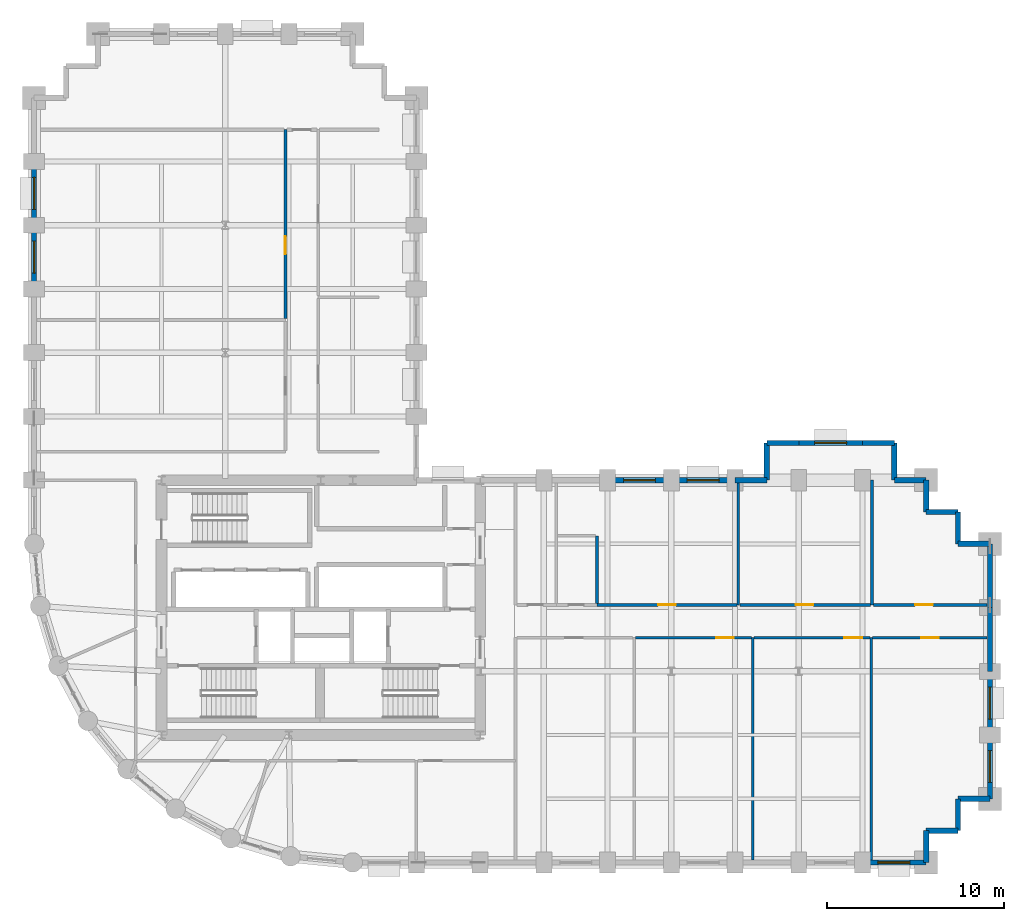
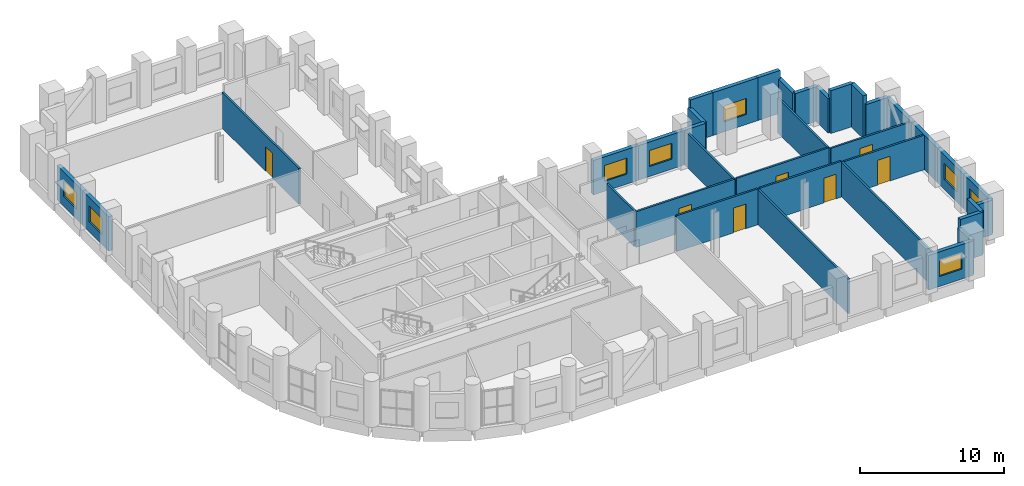
# One storey, part 10 of 13: 36 walls, 8 windows, 7 doors, 15 openings.
"""IFC4 building model written with IfcOpenShell, lengths in metres."""

from ifc_helpers import new_model, si_unit, direction, frame, frame_2d, origin, place, context, subcontext, project, spatial, rectangle, extrude, material, layer, layer_set, type_object, element, fill, save


model = new_model("IFC4")

# Units and contexts
model_context = context("Model", 3, precision=1e-05, world=origin(), true_north=direction((0.0, 1.0)))
body_context = subcontext(model_context, "Body", "Model", "MODEL_VIEW")
ifc_project = project(units=[si_unit("LENGTHUNIT", "METRE"), si_unit("AREAUNIT", "SQUARE_METRE"), si_unit("VOLUMEUNIT", "CUBIC_METRE"), si_unit("PLANEANGLEUNIT", "RADIAN"), si_unit("MASSUNIT", "GRAM", prefix="KILO")], contexts=[model_context])

# Site, building, storey
site_placement = place(None, origin())
site = spatial("IfcSite", under=ifc_project, at=site_placement, CompositionType="ELEMENT")
building_placement = place(site_placement, origin())
building = spatial("IfcBuilding", under=site, at=building_placement, Name="Solnavia Interchange Tower", CompositionType="ELEMENT")
storey_placement = place(building_placement, frame((0.0, 0.0, 39.60009765625)))
storey = spatial("IfcBuildingStorey", under=building, at=storey_placement, Name="L09", CompositionType="ELEMENT", Elevation=39.60009765625)

# Wall, opening, window
ifc_material_1 = material(Name="Concrete C40/50", Category="concrete")
ifc_layer_1 = layer(ifc_material_1, 0.300048828125)
ifc_layer_set_1 = layer_set([ifc_layer_1], Name="Concrete C40/50")
wall_type_1 = type_object("IfcWallType", Name="Wall-ExtSpandrel-300", PredefinedType="STANDARD", material=ifc_layer_set_1)
wall_1_placement = place(storey_placement, frame((57.60009765625, 3.60009765625, 0.0), z_axis=(0.0, 0.0, 1.0), x_axis=(-1.0, 0.0, 0.0)))
wall_1 = element("IfcWall", 1, at=wall_1_placement, inside=storey, type_object=wall_type_1, Name="EXW-L09-09 Exterior precast spandrel wall", PredefinedType="STANDARD", context=body_context, shape_type="SweptSolid", body=[
    extrude(rectangle(XDim=3.60009765625, YDim=0.300048828125, at=frame_2d((1.800048828125, 0.0))), origin(), (0.0, 0.0, 1.0), 2.929931640625),
])
opening_1_placement = place(wall_1_placement, frame((0.925048828125, 0.0, 0.85009765625)))
opening_1 = element("IfcOpeningElement", 2, at=opening_1_placement, cuts=wall_1, Name="Opening WIN-02", PredefinedType="OPENING", context=body_context, shape_type="SweptSolid", body=[
    extrude(rectangle(XDim=1.800048828125, YDim=1.35009765625, at=frame_2d((0.89990234375, 0.675048828125))), frame((0.0, 0.16015625, 0.0), z_axis=(0.0, -1.0, 0.0), x_axis=(1.0, 0.0, 0.0)), (0.0, 0.0, 1.0), 0.320068359375),
])
ifc_material_2 = material(Name="Thermal-Break Aluminium & Low-E Glass", Category="aluminium")
window_type = type_object("IfcWindowType", Name="Window-Ribbon-1800x1350", PartitioningType="SINGLE_PANEL", PredefinedType="WINDOW", material=ifc_material_2)
window_1_placement = place(opening_1_placement, origin())
window_1 = element("IfcWindow", 3, at=window_1_placement, inside=storey, type_object=window_type, Name="WIN-L09-09 Facade ribbon window", OverallHeight=1.35009765625, OverallWidth=1.800048828125, PartitioningType="SINGLE_PANEL", PredefinedType="WINDOW", context=body_context, shape_type="SweptSolid", body=[
    extrude(rectangle(XDim=1.800048828125, YDim=1.35009765625, at=frame_2d((0.89990234375, 0.675048828125))), frame((0.0, 0.030029296875, 0.0), z_axis=(0.0, -1.0, 0.0), x_axis=(1.0, 0.0, 0.0)), (0.0, 0.0, 1.0), 0.06005859375),
])
fill(opening_1, window_1)

# Walls
wall_2_placement = place(storey_placement, frame((57.60009765625, 5.39990234375, 0.0), z_axis=(0.0, 0.0, 1.0), x_axis=(0.0, -1.0, 0.0)))
element("IfcWall", 4, at=wall_2_placement, inside=storey, type_object=wall_type_1, Name="EXW-L09-10 Exterior precast spandrel wall", PredefinedType="STANDARD", context=body_context, shape_type="SweptSolid", body=[
    extrude(rectangle(XDim=1.7998046875, YDim=0.300048828125, at=frame_2d((0.89990234375, 0.0))), origin(), (0.0, 0.0, 1.0), 2.929931640625),
])
wall_3_placement = place(storey_placement, frame((59.39990234375, 5.39990234375, 0.0), z_axis=(0.0, 0.0, 1.0), x_axis=(-1.0, 0.0, 0.0)))
element("IfcWall", 5, at=wall_3_placement, inside=storey, type_object=wall_type_1, Name="EXW-L09-11 Exterior precast spandrel wall", PredefinedType="STANDARD", context=body_context, shape_type="SweptSolid", body=[
    extrude(rectangle(XDim=1.7998046875, YDim=0.300048828125, at=frame_2d((0.89990234375, 0.0))), origin(), (0.0, 0.0, 1.0), 3.635009765625),
])
wall_4_placement = place(storey_placement, frame((59.39990234375, 7.199951171875, 0.0), z_axis=(0.0, 0.0, 1.0), x_axis=(0.0, -1.0, 0.0)))
element("IfcWall", 6, at=wall_4_placement, inside=storey, type_object=wall_type_1, Name="EXW-L09-12 Exterior precast spandrel wall", PredefinedType="STANDARD", context=body_context, shape_type="SweptSolid", body=[
    extrude(rectangle(XDim=1.800048828125, YDim=0.300048828125, at=frame_2d((0.89990234375, 0.0))), origin(), (0.0, 0.0, 1.0), 3.635009765625),
])
wall_5_placement = place(storey_placement, frame((61.199951171875, 7.199951171875, 0.0), z_axis=(0.0, 0.0, 1.0), x_axis=(-1.0, 0.0, 0.0)))
element("IfcWall", 7, at=wall_5_placement, inside=storey, type_object=wall_type_1, Name="EXW-L09-13 Exterior precast spandrel wall", PredefinedType="STANDARD", context=body_context, shape_type="SweptSolid", body=[
    extrude(rectangle(XDim=1.800048828125, YDim=0.300048828125, at=frame_2d((0.89990234375, 0.0))), origin(), (0.0, 0.0, 1.0), 2.929931640625),
])

# Wall, opening, window
wall_6_placement = place(storey_placement, frame((61.199951171875, 10.800048828125, 0.0), z_axis=(0.0, 0.0, 1.0), x_axis=(0.0, -1.0, 0.0)))
wall_6 = element("IfcWall", 8, at=wall_6_placement, inside=storey, type_object=wall_type_1, Name="EXW-L09-14 Exterior precast spandrel wall", PredefinedType="STANDARD", context=body_context, shape_type="SweptSolid", body=[
    extrude(rectangle(XDim=3.60009765625, YDim=0.300048828125, at=frame_2d((1.800048828125, 0.0))), origin(), (0.0, 0.0, 1.0), 2.929931640625),
])
opening_2_placement = place(wall_6_placement, frame((0.875, 0.0, 0.85009765625)))
opening_2 = element("IfcOpeningElement", 9, at=opening_2_placement, cuts=wall_6, Name="Opening WIN-02", PredefinedType="OPENING", context=body_context, shape_type="SweptSolid", body=[
    extrude(rectangle(XDim=1.800048828125, YDim=1.35009765625, at=frame_2d((0.89990234375, 0.675048828125))), frame((0.0, 0.16015625, 0.0), z_axis=(0.0, -1.0, 0.0), x_axis=(1.0, 0.0, 0.0)), (0.0, 0.0, 1.0), 0.320068359375),
])
window_2_placement = place(opening_2_placement, origin())
window_2 = element("IfcWindow", 10, at=window_2_placement, inside=storey, type_object=window_type, Name="WIN-L09-14 Facade ribbon window", OverallHeight=1.35009765625, OverallWidth=1.800048828125, PartitioningType="SINGLE_PANEL", PredefinedType="WINDOW", context=body_context, shape_type="SweptSolid", body=[
    extrude(rectangle(XDim=1.800048828125, YDim=1.35009765625, at=frame_2d((0.89990234375, 0.675048828125))), frame((0.0, 0.030029296875, 0.0), z_axis=(0.0, -1.0, 0.0), x_axis=(1.0, 0.0, 0.0)), (0.0, 0.0, 1.0), 0.06005859375),
])
fill(opening_2, window_2)

wall_7_placement = place(storey_placement, frame((61.199951171875, 14.39990234375, 0.0), z_axis=(0.0, 0.0, 1.0), x_axis=(0.0, -1.0, 0.0)))
wall_7 = element("IfcWall", 11, at=wall_7_placement, inside=storey, type_object=wall_type_1, Name="EXW-L09-15 Exterior precast spandrel wall", PredefinedType="STANDARD", context=body_context, shape_type="SweptSolid", body=[
    extrude(rectangle(XDim=3.599853515625, YDim=0.300048828125, at=frame_2d((1.7998046875, 0.0))), origin(), (0.0, 0.0, 1.0), 2.929931640625),
])
opening_3_placement = place(wall_7_placement, frame((0.89990234375, 0.0, 0.85009765625)))
opening_3 = element("IfcOpeningElement", 12, at=opening_3_placement, cuts=wall_7, Name="Opening WIN-02", PredefinedType="OPENING", context=body_context, shape_type="SweptSolid", body=[
    extrude(rectangle(XDim=1.800048828125, YDim=1.35009765625, at=frame_2d((0.89990234375, 0.675048828125))), frame((0.0, 0.16015625, 0.0), z_axis=(0.0, -1.0, 0.0), x_axis=(1.0, 0.0, 0.0)), (0.0, 0.0, 1.0), 0.320068359375),
])
window_3_placement = place(opening_3_placement, origin())
window_3 = element("IfcWindow", 13, at=window_3_placement, inside=storey, type_object=window_type, Name="WIN-L09-15 Facade ribbon window", OverallHeight=1.35009765625, OverallWidth=1.800048828125, PartitioningType="SINGLE_PANEL", PredefinedType="WINDOW", context=body_context, shape_type="SweptSolid", body=[
    extrude(rectangle(XDim=1.800048828125, YDim=1.35009765625, at=frame_2d((0.89990234375, 0.675048828125))), frame((0.0, 0.030029296875, 0.0), z_axis=(0.0, -1.0, 0.0), x_axis=(1.0, 0.0, 0.0)), (0.0, 0.0, 1.0), 0.06005859375),
])
fill(opening_3, window_3)

# Walls
for number, where, z_axis, x_axis, name in (
    (14, (61.199951171875, 18.0, 0.0), (0.0, 0.0, 1.0), (0.0, -1.0, 0.0), "EXW-L09-16 Exterior precast spandrel wall"),
    (15, (61.199951171875, 21.60009765625, 0.0), (0.0, 0.0, 1.0), (0.0, -1.0, 0.0), "EXW-L09-17 Exterior precast spandrel wall"),
):
    element("IfcWall", number, at=place(storey_placement, frame(where, z_axis=z_axis, x_axis=x_axis)), inside=storey, type_object=wall_type_1, Name=name, PredefinedType="STANDARD", context=body_context, shape_type="SweptSolid", body=[
        extrude(rectangle(XDim=3.60009765625, YDim=0.300048828125, at=frame_2d((1.800048828125, 0.0))), origin(), (0.0, 0.0, 1.0), 2.929931640625),
    ])
wall_8_placement = place(storey_placement, frame((61.199951171875, 21.60009765625, 0.0), z_axis=(0.0, 0.0, 1.0), x_axis=(-1.0, 0.0, 0.0)))
element("IfcWall", 16, at=wall_8_placement, inside=storey, type_object=wall_type_1, Name="EXW-L09-18 Exterior precast spandrel wall", PredefinedType="STANDARD", context=body_context, shape_type="SweptSolid", body=[
    extrude(rectangle(XDim=1.800048828125, YDim=0.300048828125, at=frame_2d((0.89990234375, 0.0))), origin(), (0.0, 0.0, 1.0), 2.929931640625),
])
for number, where, z_axis, x_axis, name in (
    (17, (59.39990234375, 23.39990234375, 0.0), (0.0, 0.0, 1.0), (0.0, -1.0, 0.0), "EXW-L09-19 Exterior precast spandrel wall"),
    (18, (57.60009765625, 23.39990234375, 0.0), (0.0, 0.0, 1.0), (1.0, 0.0, 0.0), "EXW-L09-20 Exterior precast spandrel wall"),
):
    element("IfcWall", number, at=place(storey_placement, frame(where, z_axis=z_axis, x_axis=x_axis)), inside=storey, type_object=wall_type_1, Name=name, PredefinedType="STANDARD", context=body_context, shape_type="SweptSolid", body=[
        extrude(rectangle(XDim=1.7998046875, YDim=0.300048828125, at=frame_2d((0.89990234375, 0.0))), origin(), (0.0, 0.0, 1.0), 3.635009765625),
    ])
for number, where, z_axis, x_axis, name in (
    (19, (57.60009765625, 25.199951171875, 0.0), (0.0, 0.0, 1.0), (0.0, -1.0, 0.0), "EXW-L09-21 Exterior precast spandrel wall"),
    (20, (55.800048828125, 25.199951171875, 0.0), (0.0, 0.0, 1.0), (1.0, 0.0, 0.0), "EXW-L09-22 Exterior precast spandrel wall"),
):
    element("IfcWall", number, at=place(storey_placement, frame(where, z_axis=z_axis, x_axis=x_axis)), inside=storey, type_object=wall_type_1, Name=name, PredefinedType="STANDARD", context=body_context, shape_type="SweptSolid", body=[
        extrude(rectangle(XDim=1.800048828125, YDim=0.300048828125, at=frame_2d((0.89990234375, 0.0))), origin(), (0.0, 0.0, 1.0), 2.929931640625),
    ])
wall_9_placement = place(storey_placement, frame((55.800048828125, 27.300048828125, 0.0), z_axis=(0.0, 0.0, 1.0), x_axis=(0.0, -1.0, 0.0)))
element("IfcWall", 21, at=wall_9_placement, inside=storey, type_object=wall_type_1, Name="EXW-L09-23 Exterior precast spandrel wall", PredefinedType="STANDARD", context=body_context, shape_type="SweptSolid", body=[
    extrude(rectangle(XDim=2.10009765625, YDim=0.300048828125, at=frame_2d((1.050048828125, 0.0))), origin(), (0.0, 0.0, 1.0), 2.929931640625),
])
wall_10_placement = place(storey_placement, frame((54.0, 27.300048828125, 0.0), z_axis=(0.0, 0.0, 1.0), x_axis=(1.0, 0.0, 0.0)))
element("IfcWall", 22, at=wall_10_placement, inside=storey, type_object=wall_type_1, Name="EXW-L09-24 Exterior precast spandrel wall", PredefinedType="STANDARD", context=body_context, shape_type="SweptSolid", body=[
    extrude(rectangle(XDim=1.800048828125, YDim=0.300048828125, at=frame_2d((0.89990234375, 0.0))), origin(), (0.0, 0.0, 1.0), 3.635009765625),
])

# Wall, opening, window
wall_11_placement = place(storey_placement, frame((50.39990234375, 27.300048828125, 0.0), z_axis=(0.0, 0.0, 1.0), x_axis=(1.0, 0.0, 0.0)))
wall_11 = element("IfcWall", 23, at=wall_11_placement, inside=storey, type_object=wall_type_1, Name="EXW-L09-25 Exterior precast spandrel wall", PredefinedType="STANDARD", context=body_context, shape_type="SweptSolid", body=[
    extrude(rectangle(XDim=3.60009765625, YDim=0.300048828125, at=frame_2d((1.800048828125, 0.0))), origin(), (0.0, 0.0, 1.0), 3.635009765625),
])
opening_4_placement = place(wall_11_placement, frame((0.89990234375, 0.0, 0.85009765625)))
opening_4 = element("IfcOpeningElement", 24, at=opening_4_placement, cuts=wall_11, Name="Opening WIN-02", PredefinedType="OPENING", context=body_context, shape_type="SweptSolid", body=[
    extrude(rectangle(XDim=1.800048828125, YDim=1.35009765625, at=frame_2d((0.89990234375, 0.675048828125))), frame((0.0, 0.16015625, 0.0), z_axis=(0.0, -1.0, 0.0), x_axis=(1.0, 0.0, 0.0)), (0.0, 0.0, 1.0), 0.320068359375),
])
window_4_placement = place(opening_4_placement, origin())
window_4 = element("IfcWindow", 25, at=window_4_placement, inside=storey, type_object=window_type, Name="WIN-L09-25 Facade ribbon window", OverallHeight=1.35009765625, OverallWidth=1.800048828125, PartitioningType="SINGLE_PANEL", PredefinedType="WINDOW", context=body_context, shape_type="SweptSolid", body=[
    extrude(rectangle(XDim=1.800048828125, YDim=1.35009765625, at=frame_2d((0.89990234375, 0.675048828125))), frame((0.0, 0.030029296875, 0.0), z_axis=(0.0, -1.0, 0.0), x_axis=(1.0, 0.0, 0.0)), (0.0, 0.0, 1.0), 0.06005859375),
])
fill(opening_4, window_4)

# Walls
wall_12_placement = place(storey_placement, frame((48.60009765625, 27.300048828125, 0.0), z_axis=(0.0, 0.0, 1.0), x_axis=(1.0, 0.0, 0.0)))
element("IfcWall", 26, at=wall_12_placement, inside=storey, type_object=wall_type_1, Name="EXW-L09-26 Exterior precast spandrel wall", PredefinedType="STANDARD", context=body_context, shape_type="SweptSolid", body=[
    extrude(rectangle(XDim=1.7998046875, YDim=0.300048828125, at=frame_2d((0.89990234375, 0.0))), origin(), (0.0, 0.0, 1.0), 3.635009765625),
])
wall_13_placement = place(storey_placement, frame((48.60009765625, 27.300048828125, 0.0), z_axis=(0.0, 0.0, 1.0), x_axis=(0.0, -1.0, 0.0)))
element("IfcWall", 27, at=wall_13_placement, inside=storey, type_object=wall_type_1, Name="EXW-L09-27 Exterior precast spandrel wall", PredefinedType="STANDARD", context=body_context, shape_type="SweptSolid", body=[
    extrude(rectangle(XDim=2.10009765625, YDim=0.300048828125, at=frame_2d((1.050048828125, 0.0))), origin(), (0.0, 0.0, 1.0), 2.929931640625),
])
wall_14_placement = place(storey_placement, frame((46.800048828125, 25.199951171875, 0.0), z_axis=(0.0, 0.0, 1.0), x_axis=(1.0, 0.0, 0.0)))
element("IfcWall", 28, at=wall_14_placement, inside=storey, type_object=wall_type_1, Name="EXW-L09-28 Exterior precast spandrel wall", PredefinedType="STANDARD", context=body_context, shape_type="SweptSolid", body=[
    extrude(rectangle(XDim=1.800048828125, YDim=0.300048828125, at=frame_2d((0.89990234375, 0.0))), origin(), (0.0, 0.0, 1.0), 2.929931640625),
])

# Wall, opening, window
wall_15_placement = place(storey_placement, frame((43.199951171875, 25.199951171875, 0.0), z_axis=(0.0, 0.0, 1.0), x_axis=(1.0, 0.0, 0.0)))
wall_15 = element("IfcWall", 29, at=wall_15_placement, inside=storey, type_object=wall_type_1, Name="EXW-L09-29 Exterior precast spandrel wall", PredefinedType="STANDARD", context=body_context, shape_type="SweptSolid", body=[
    extrude(rectangle(XDim=3.60009765625, YDim=0.300048828125, at=frame_2d((1.800048828125, 0.0))), origin(), (0.0, 0.0, 1.0), 2.929931640625),
])
opening_5_placement = place(wall_15_placement, frame((0.89990234375, 0.0, 0.85009765625)))
opening_5 = element("IfcOpeningElement", 30, at=opening_5_placement, cuts=wall_15, Name="Opening WIN-02", PredefinedType="OPENING", context=body_context, shape_type="SweptSolid", body=[
    extrude(rectangle(XDim=1.800048828125, YDim=1.35009765625, at=frame_2d((0.89990234375, 0.675048828125))), frame((0.0, 0.16015625, 0.0), z_axis=(0.0, -1.0, 0.0), x_axis=(1.0, 0.0, 0.0)), (0.0, 0.0, 1.0), 0.320068359375),
])
window_5_placement = place(opening_5_placement, origin())
window_5 = element("IfcWindow", 31, at=window_5_placement, inside=storey, type_object=window_type, Name="WIN-L09-29 Facade ribbon window", OverallHeight=1.35009765625, OverallWidth=1.800048828125, PartitioningType="SINGLE_PANEL", PredefinedType="WINDOW", context=body_context, shape_type="SweptSolid", body=[
    extrude(rectangle(XDim=1.800048828125, YDim=1.35009765625, at=frame_2d((0.89990234375, 0.675048828125))), frame((0.0, 0.030029296875, 0.0), z_axis=(0.0, -1.0, 0.0), x_axis=(1.0, 0.0, 0.0)), (0.0, 0.0, 1.0), 0.06005859375),
])
fill(opening_5, window_5)

wall_16_placement = place(storey_placement, frame((39.60009765625, 25.199951171875, 0.0), z_axis=(0.0, 0.0, 1.0), x_axis=(1.0, 0.0, 0.0)))
wall_16 = element("IfcWall", 32, at=wall_16_placement, inside=storey, type_object=wall_type_1, Name="EXW-L09-30 Exterior precast spandrel wall", PredefinedType="STANDARD", context=body_context, shape_type="SweptSolid", body=[
    extrude(rectangle(XDim=3.599853515625, YDim=0.300048828125, at=frame_2d((1.7998046875, 0.0))), origin(), (0.0, 0.0, 1.0), 2.929931640625),
])
opening_6_placement = place(wall_16_placement, frame((0.89990234375, 0.0, 0.85009765625)))
opening_6 = element("IfcOpeningElement", 33, at=opening_6_placement, cuts=wall_16, Name="Opening WIN-02", PredefinedType="OPENING", context=body_context, shape_type="SweptSolid", body=[
    extrude(rectangle(XDim=1.800048828125, YDim=1.35009765625, at=frame_2d((0.89990234375, 0.675048828125))), frame((0.0, 0.16015625, 0.0), z_axis=(0.0, -1.0, 0.0), x_axis=(1.0, 0.0, 0.0)), (0.0, 0.0, 1.0), 0.320068359375),
])
window_6_placement = place(opening_6_placement, origin())
window_6 = element("IfcWindow", 34, at=window_6_placement, inside=storey, type_object=window_type, Name="WIN-L09-30 Facade ribbon window", OverallHeight=1.35009765625, OverallWidth=1.800048828125, PartitioningType="SINGLE_PANEL", PredefinedType="WINDOW", context=body_context, shape_type="SweptSolid", body=[
    extrude(rectangle(XDim=1.800048828125, YDim=1.35009765625, at=frame_2d((0.89990234375, 0.675048828125))), frame((0.0, 0.030029296875, 0.0), z_axis=(0.0, -1.0, 0.0), x_axis=(1.0, 0.0, 0.0)), (0.0, 0.0, 1.0), 0.06005859375),
])
fill(opening_6, window_6)

wall_17_placement = place(storey_placement, frame((7.199951171875, 39.60009765625, 0.0), z_axis=(0.0, 0.0, 1.0), x_axis=(0.0, 1.0, 0.0)))
wall_17 = element("IfcWall", 35, at=wall_17_placement, inside=storey, type_object=wall_type_1, Name="EXW-L09-53 Exterior precast spandrel wall", PredefinedType="STANDARD", context=body_context, shape_type="SweptSolid", body=[
    extrude(rectangle(XDim=3.599853515625, YDim=0.300048828125, at=frame_2d((1.7998046875, 0.0))), origin(), (0.0, 0.0, 1.0), 2.929931640625),
])
opening_7_placement = place(wall_17_placement, frame((0.89990234375, 0.0, 0.85009765625)))
opening_7 = element("IfcOpeningElement", 36, at=opening_7_placement, cuts=wall_17, Name="Opening WIN-02", PredefinedType="OPENING", context=body_context, shape_type="SweptSolid", body=[
    extrude(rectangle(XDim=1.800048828125, YDim=1.35009765625, at=frame_2d((0.89990234375, 0.675048828125))), frame((0.0, 0.16015625, 0.0), z_axis=(0.0, -1.0, 0.0), x_axis=(1.0, 0.0, 0.0)), (0.0, 0.0, 1.0), 0.320068359375),
])
window_7_placement = place(opening_7_placement, origin())
window_7 = element("IfcWindow", 37, at=window_7_placement, inside=storey, type_object=window_type, Name="WIN-L09-53 Facade ribbon window", OverallHeight=1.35009765625, OverallWidth=1.800048828125, PartitioningType="SINGLE_PANEL", PredefinedType="WINDOW", context=body_context, shape_type="SweptSolid", body=[
    extrude(rectangle(XDim=1.800048828125, YDim=1.35009765625, at=frame_2d((0.89990234375, 0.675048828125))), frame((0.0, 0.030029296875, 0.0), z_axis=(0.0, -1.0, 0.0), x_axis=(1.0, 0.0, 0.0)), (0.0, 0.0, 1.0), 0.06005859375),
])
fill(opening_7, window_7)

wall_18_placement = place(storey_placement, frame((7.199951171875, 36.0, 0.0), z_axis=(0.0, 0.0, 1.0), x_axis=(0.0, 1.0, 0.0)))
wall_18 = element("IfcWall", 38, at=wall_18_placement, inside=storey, type_object=wall_type_1, Name="EXW-L09-54 Exterior precast spandrel wall", PredefinedType="STANDARD", context=body_context, shape_type="SweptSolid", body=[
    extrude(rectangle(XDim=3.60009765625, YDim=0.300048828125, at=frame_2d((1.800048828125, 0.0))), origin(), (0.0, 0.0, 1.0), 2.929931640625),
])
opening_8_placement = place(wall_18_placement, frame((0.89990234375, 0.0, 0.85009765625)))
opening_8 = element("IfcOpeningElement", 39, at=opening_8_placement, cuts=wall_18, Name="Opening WIN-02", PredefinedType="OPENING", context=body_context, shape_type="SweptSolid", body=[
    extrude(rectangle(XDim=1.800048828125, YDim=1.35009765625, at=frame_2d((0.89990234375, 0.675048828125))), frame((0.0, 0.16015625, 0.0), z_axis=(0.0, -1.0, 0.0), x_axis=(1.0, 0.0, 0.0)), (0.0, 0.0, 1.0), 0.320068359375),
])
window_8_placement = place(opening_8_placement, origin())
window_8 = element("IfcWindow", 40, at=window_8_placement, inside=storey, type_object=window_type, Name="WIN-L09-54 Facade ribbon window", OverallHeight=1.35009765625, OverallWidth=1.800048828125, PartitioningType="SINGLE_PANEL", PredefinedType="WINDOW", context=body_context, shape_type="SweptSolid", body=[
    extrude(rectangle(XDim=1.800048828125, YDim=1.35009765625, at=frame_2d((0.89990234375, 0.675048828125))), frame((0.0, 0.030029296875, 0.0), z_axis=(0.0, -1.0, 0.0), x_axis=(1.0, 0.0, 0.0)), (0.0, 0.0, 1.0), 0.06005859375),
])
fill(opening_8, window_8)

# Wall
ifc_material_3 = material(Name="Gypsum Plasterboard & Steel Stud", Category="steel")
ifc_layer_2 = layer(ifc_material_3, 0.14990234375)
ifc_layer_set_2 = layer_set([ifc_layer_2], Name="Gypsum Plasterboard & Steel Stud")
wall_type_2 = type_object("IfcWallType", Name="Wall-Partition-150", PredefinedType="PARTITIONING", material=ifc_layer_set_2)
wall_19_placement = place(storey_placement, frame((47.800048828125, 3.75390625, 0.0), z_axis=(0.0, 0.0, 1.0), x_axis=(0.0, 1.0, 0.0)))
element("IfcWall", 41, at=wall_19_placement, inside=storey, type_object=wall_type_2, Name="PTW-L09-20 Interior partition wall", PredefinedType="PARTITIONING", context=body_context, shape_type="SweptSolid", body=[
    extrude(rectangle(XDim=12.546142578125, YDim=0.14990234375, at=frame_2d((6.27294921875, 0.0))), origin(), (0.0, 0.0, 1.0), 2.929931640625),
])

# Wall, opening, door
wall_20_placement = place(storey_placement, frame((41.178955078125, 16.300048828125, 0.0), z_axis=(0.0, 0.0, 1.0), x_axis=(1.0, 0.0, 0.0)))
wall_20 = element("IfcWall", 42, at=wall_20_placement, inside=storey, type_object=wall_type_2, Name="PTW-L09-21 Interior partition wall", PredefinedType="PARTITIONING", context=body_context, shape_type="SweptSolid", body=[
    extrude(rectangle(XDim=6.5419921875, YDim=0.14990234375, at=frame_2d((3.27099609375, 0.0))), origin(), (0.0, 0.0, 1.0), 3.039794921875),
])
opening_9_placement = place(wall_20_placement, frame((4.550048828125, 0.0, 0.0)))
opening_9 = element("IfcOpeningElement", 43, at=opening_9_placement, cuts=wall_20, Name="Opening DR-07", PredefinedType="OPENING", context=body_context, shape_type="SweptSolid", body=[
    extrude(rectangle(XDim=1.0, YDim=2.10009765625, at=frame_2d((0.5, 1.050048828125))), frame((0.0, 0.0849609375, 0.0), z_axis=(0.0, -1.0, 0.0), x_axis=(1.0, 0.0, 0.0)), (0.0, 0.0, 1.0), 0.169921875),
])
ifc_material_4 = material(Name="Timber & Acoustic Glazed Office Door", Category="wood")
door_type = type_object("IfcDoorType", Name="Door-Office-1000x2100", OperationType="SINGLE_SWING_RIGHT", PredefinedType="DOOR", material=ifc_material_4)
door_1_placement = place(opening_9_placement, origin())
door_1 = element("IfcDoor", 44, at=door_1_placement, inside=storey, type_object=door_type, Name="DR-L09-09 Interior room door", OperationType="SINGLE_SWING_RIGHT", OverallHeight=2.10009765625, OverallWidth=1.0, PredefinedType="DOOR", context=body_context, shape_type="SweptSolid", body=[
    extrude(rectangle(XDim=1.0, YDim=2.10009765625, at=frame_2d((0.5, 1.050048828125))), frame((0.0, 0.02490234375, 0.0), z_axis=(0.0, -1.0, 0.0), x_axis=(1.0, 0.0, 0.0)), (0.0, 0.0, 1.0), 0.050048828125),
])
fill(opening_9, door_1)

# Wall
wall_21_placement = place(storey_placement, frame((54.5, 3.75390625, 0.0), z_axis=(0.0, 0.0, 1.0), x_axis=(0.0, 1.0, 0.0)))
element("IfcWall", 45, at=wall_21_placement, inside=storey, type_object=wall_type_2, Name="PTW-L09-22 Interior partition wall", PredefinedType="PARTITIONING", context=body_context, shape_type="SweptSolid", body=[
    extrude(rectangle(XDim=12.546142578125, YDim=0.14990234375, at=frame_2d((6.27294921875, 0.0))), origin(), (0.0, 0.0, 1.0), 2.929931640625),
])

# Wall, opening, door
wall_22_placement = place(storey_placement, frame((47.87890625, 16.300048828125, 0.0), z_axis=(0.0, 0.0, 1.0), x_axis=(1.0, 0.0, 0.0)))
wall_22 = element("IfcWall", 46, at=wall_22_placement, inside=storey, type_object=wall_type_2, Name="PTW-L09-23 Interior partition wall", PredefinedType="PARTITIONING", context=body_context, shape_type="SweptSolid", body=[
    extrude(rectangle(XDim=6.5419921875, YDim=0.14990234375, at=frame_2d((3.27099609375, 0.0))), origin(), (0.0, 0.0, 1.0), 3.039794921875),
])
opening_10_placement = place(wall_22_placement, frame((5.10302734375, 0.0, 0.0)))
opening_10 = element("IfcOpeningElement", 47, at=opening_10_placement, cuts=wall_22, Name="Opening DR-07", PredefinedType="OPENING", context=body_context, shape_type="SweptSolid", body=[
    extrude(rectangle(XDim=1.0, YDim=2.10009765625, at=frame_2d((0.5, 1.050048828125))), frame((0.0, 0.0849609375, 0.0), z_axis=(0.0, -1.0, 0.0), x_axis=(1.0, 0.0, 0.0)), (0.0, 0.0, 1.0), 0.169921875),
])
door_2_placement = place(opening_10_placement, origin())
door_2 = element("IfcDoor", 48, at=door_2_placement, inside=storey, type_object=door_type, Name="DR-L09-10 Interior room door", OperationType="SINGLE_SWING_LEFT", OverallHeight=2.10009765625, OverallWidth=1.0, PredefinedType="DOOR", context=body_context, shape_type="SweptSolid", body=[
    extrude(rectangle(XDim=1.0, YDim=2.10009765625, at=frame_2d((0.5, 1.050048828125))), frame((0.0, 0.02490234375, 0.0), z_axis=(0.0, -1.0, 0.0), x_axis=(1.0, 0.0, 0.0)), (0.0, 0.0, 1.0), 0.050048828125),
])
fill(opening_10, door_2)

wall_23_placement = place(storey_placement, frame((54.5791015625, 16.300048828125, 0.0), z_axis=(0.0, 0.0, 1.0), x_axis=(1.0, 0.0, 0.0)))
wall_23 = element("IfcWall", 49, at=wall_23_placement, inside=storey, type_object=wall_type_2, Name="PTW-L09-24 Interior partition wall", PredefinedType="PARTITIONING", context=body_context, shape_type="SweptSolid", body=[
    extrude(rectangle(XDim=6.466796875, YDim=0.14990234375, at=frame_2d((3.2333984375, 0.0))), origin(), (0.0, 0.0, 1.0), 2.929931640625),
])
opening_11_placement = place(wall_23_placement, frame((2.73095703125, 0.0, 0.0)))
opening_11 = element("IfcOpeningElement", 50, at=opening_11_placement, cuts=wall_23, Name="Opening DR-07", PredefinedType="OPENING", context=body_context, shape_type="SweptSolid", body=[
    extrude(rectangle(XDim=1.0, YDim=2.10009765625, at=frame_2d((0.5, 1.050048828125))), frame((0.0, 0.0849609375, 0.0), z_axis=(0.0, -1.0, 0.0), x_axis=(1.0, 0.0, 0.0)), (0.0, 0.0, 1.0), 0.169921875),
])
door_3_placement = place(opening_11_placement, origin())
door_3 = element("IfcDoor", 51, at=door_3_placement, inside=storey, type_object=door_type, Name="DR-L09-11 Interior room door", OperationType="SINGLE_SWING_RIGHT", OverallHeight=2.10009765625, OverallWidth=1.0, PredefinedType="DOOR", context=body_context, shape_type="SweptSolid", body=[
    extrude(rectangle(XDim=1.0, YDim=2.10009765625, at=frame_2d((0.5, 1.050048828125))), frame((0.0, 0.02490234375, 0.0), z_axis=(0.0, -1.0, 0.0), x_axis=(1.0, 0.0, 0.0)), (0.0, 0.0, 1.0), 0.050048828125),
])
fill(opening_11, door_3)

# Wall
wall_24_placement = place(storey_placement, frame((46.989990234375, 18.14990234375, 0.0), z_axis=(0.0, 0.0, 1.0), x_axis=(0.0, 1.0, 0.0)))
element("IfcWall", 52, at=wall_24_placement, inside=storey, type_object=wall_type_2, Name="PTW-L09-25 Interior partition wall", PredefinedType="PARTITIONING", context=body_context, shape_type="SweptSolid", body=[
    extrude(rectangle(XDim=6.89599609375, YDim=0.14990234375, at=frame_2d((3.447998046875, 0.0))), origin(), (0.0, 0.0, 1.0), 2.929931640625),
])

# Wall, opening, door
wall_25_placement = place(storey_placement, frame((39.0, 18.14990234375, 0.0), z_axis=(0.0, 0.0, 1.0), x_axis=(1.0, 0.0, 0.0)))
wall_25 = element("IfcWall", 53, at=wall_25_placement, inside=storey, type_object=wall_type_2, Name="PTW-L09-26 Interior partition wall", PredefinedType="PARTITIONING", context=body_context, shape_type="SweptSolid", body=[
    extrude(rectangle(XDim=7.910888671875, YDim=0.14990234375, at=frame_2d((3.95556640625, 0.0))), origin(), (0.0, 0.0, 1.0), 3.02978515625),
])
opening_12_placement = place(wall_25_placement, frame((3.455078125, 0.0, 0.0)))
opening_12 = element("IfcOpeningElement", 54, at=opening_12_placement, cuts=wall_25, Name="Opening DR-07", PredefinedType="OPENING", context=body_context, shape_type="SweptSolid", body=[
    extrude(rectangle(XDim=1.0, YDim=2.10009765625, at=frame_2d((0.5, 1.050048828125))), frame((0.0, 0.0849609375, 0.0), z_axis=(0.0, -1.0, 0.0), x_axis=(1.0, 0.0, 0.0)), (0.0, 0.0, 1.0), 0.169921875),
])
door_4_placement = place(opening_12_placement, origin())
door_4 = element("IfcDoor", 55, at=door_4_placement, inside=storey, type_object=door_type, Name="DR-L09-12 Interior room door", OperationType="SINGLE_SWING_RIGHT", OverallHeight=2.10009765625, OverallWidth=1.0, PredefinedType="DOOR", context=body_context, shape_type="SweptSolid", body=[
    extrude(rectangle(XDim=1.0, YDim=2.10009765625, at=frame_2d((0.5, 1.050048828125))), frame((0.0, 0.02490234375, 0.0), z_axis=(0.0, -1.0, 0.0), x_axis=(1.0, 0.0, 0.0)), (0.0, 0.0, 1.0), 0.050048828125),
])
fill(opening_12, door_4)

# Wall
wall_26_placement = place(storey_placement, frame((54.5400390625, 18.14990234375, 0.0), z_axis=(0.0, 0.0, 1.0), x_axis=(0.0, 1.0, 0.0)))
element("IfcWall", 56, at=wall_26_placement, inside=storey, type_object=wall_type_2, Name="PTW-L09-27 Interior partition wall", PredefinedType="PARTITIONING", context=body_context, shape_type="SweptSolid", body=[
    extrude(rectangle(XDim=7.050048828125, YDim=0.14990234375, at=frame_2d((3.52490234375, 0.0))), origin(), (0.0, 0.0, 1.0), 2.929931640625),
])

# Wall, opening, door
wall_27_placement = place(storey_placement, frame((47.069091796875, 18.14990234375, 0.0), z_axis=(0.0, 0.0, 1.0), x_axis=(1.0, 0.0, 0.0)))
wall_27 = element("IfcWall", 57, at=wall_27_placement, inside=storey, type_object=wall_type_2, Name="PTW-L09-28 Interior partition wall", PredefinedType="PARTITIONING", context=body_context, shape_type="SweptSolid", body=[
    extrude(rectangle(XDim=7.391845703125, YDim=0.14990234375, at=frame_2d((3.69580078125, 0.0))), origin(), (0.0, 0.0, 1.0), 3.039794921875),
])
opening_13_placement = place(wall_27_placement, frame((3.156005859375, 0.0, 0.0)))
opening_13 = element("IfcOpeningElement", 58, at=opening_13_placement, cuts=wall_27, Name="Opening DR-07", PredefinedType="OPENING", context=body_context, shape_type="SweptSolid", body=[
    extrude(rectangle(XDim=1.0, YDim=2.10009765625, at=frame_2d((0.5, 1.050048828125))), frame((0.0, 0.0849609375, 0.0), z_axis=(0.0, -1.0, 0.0), x_axis=(1.0, 0.0, 0.0)), (0.0, 0.0, 1.0), 0.169921875),
])
door_5_placement = place(opening_13_placement, origin())
door_5 = element("IfcDoor", 59, at=door_5_placement, inside=storey, type_object=door_type, Name="DR-L09-13 Interior room door", OperationType="SINGLE_SWING_RIGHT", OverallHeight=2.10009765625, OverallWidth=1.0, PredefinedType="DOOR", context=body_context, shape_type="SweptSolid", body=[
    extrude(rectangle(XDim=1.0, YDim=2.10009765625, at=frame_2d((0.5, 1.050048828125))), frame((0.0, 0.02490234375, 0.0), z_axis=(0.0, -1.0, 0.0), x_axis=(1.0, 0.0, 0.0)), (0.0, 0.0, 1.0), 0.050048828125),
])
fill(opening_13, door_5)

wall_28_placement = place(storey_placement, frame((54.618896484375, 18.14990234375, 0.0), z_axis=(0.0, 0.0, 1.0), x_axis=(1.0, 0.0, 0.0)))
wall_28 = element("IfcWall", 60, at=wall_28_placement, inside=storey, type_object=wall_type_2, Name="PTW-L09-29 Interior partition wall", PredefinedType="PARTITIONING", context=body_context, shape_type="SweptSolid", body=[
    extrude(rectangle(XDim=6.427001953125, YDim=0.14990234375, at=frame_2d((3.21337890625, 0.0))), origin(), (0.0, 0.0, 1.0), 2.929931640625),
])
opening_14_placement = place(wall_28_placement, frame((2.35302734375, 0.0, 0.0)))
opening_14 = element("IfcOpeningElement", 61, at=opening_14_placement, cuts=wall_28, Name="Opening DR-07", PredefinedType="OPENING", context=body_context, shape_type="SweptSolid", body=[
    extrude(rectangle(XDim=1.0, YDim=2.10009765625, at=frame_2d((0.5, 1.050048828125))), frame((0.0, 0.0849609375, 0.0), z_axis=(0.0, -1.0, 0.0), x_axis=(1.0, 0.0, 0.0)), (0.0, 0.0, 1.0), 0.169921875),
])
door_6_placement = place(opening_14_placement, origin())
door_6 = element("IfcDoor", 62, at=door_6_placement, inside=storey, type_object=door_type, Name="DR-L09-14 Interior room door", OperationType="SINGLE_SWING_RIGHT", OverallHeight=2.10009765625, OverallWidth=1.0, PredefinedType="DOOR", context=body_context, shape_type="SweptSolid", body=[
    extrude(rectangle(XDim=1.0, YDim=2.10009765625, at=frame_2d((0.5, 1.050048828125))), frame((0.0, 0.02490234375, 0.0), z_axis=(0.0, -1.0, 0.0), x_axis=(1.0, 0.0, 0.0)), (0.0, 0.0, 1.0), 0.050048828125),
])
fill(opening_14, door_6)

wall_29_placement = place(storey_placement, frame((21.39990234375, 34.3291015625, 0.0), z_axis=(0.0, 0.0, 1.0), x_axis=(0.0, 1.0, 0.0)))
wall_29 = element("IfcWall", 63, at=wall_29_placement, inside=storey, type_object=wall_type_2, Name="PTW-L09-33 Interior partition wall", PredefinedType="PARTITIONING", context=body_context, shape_type="SweptSolid", body=[
    extrude(rectangle(XDim=10.6708984375, YDim=0.14990234375, at=frame_2d((5.33544921875, 0.0))), origin(), (0.0, 0.0, 1.0), 3.02978515625),
])
opening_15_placement = place(wall_29_placement, frame((3.636962890625, 0.0, 0.0)))
opening_15 = element("IfcOpeningElement", 64, at=opening_15_placement, cuts=wall_29, Name="Opening DR-07", PredefinedType="OPENING", context=body_context, shape_type="SweptSolid", body=[
    extrude(rectangle(XDim=1.0, YDim=2.10009765625, at=frame_2d((0.5, 1.050048828125))), frame((0.0, 0.0849609375, 0.0), z_axis=(0.0, -1.0, 0.0), x_axis=(1.0, 0.0, 0.0)), (0.0, 0.0, 1.0), 0.169921875),
])
door_7_placement = place(opening_15_placement, origin())
door_7 = element("IfcDoor", 65, at=door_7_placement, inside=storey, type_object=door_type, Name="DR-L09-16 Interior room door", OperationType="SINGLE_SWING_RIGHT", OverallHeight=2.10009765625, OverallWidth=1.0, PredefinedType="DOOR", context=body_context, shape_type="SweptSolid", body=[
    extrude(rectangle(XDim=1.0, YDim=2.10009765625, at=frame_2d((0.5, 1.050048828125))), frame((0.0, 0.02490234375, 0.0), z_axis=(0.0, -1.0, 0.0), x_axis=(1.0, 0.0, 0.0)), (0.0, 0.0, 1.0), 0.050048828125),
])
fill(opening_15, door_7)

# Wall
ifc_material_5 = material(Name="Moisture-Resistant Gypsum & Steel Stud", Category="steel")
ifc_layer_3 = layer(ifc_material_5, 0.14990234375)
ifc_layer_set_3 = layer_set([ifc_layer_3], Name="Moisture-Resistant Gypsum & Steel Stud")
wall_type_3 = type_object("IfcWallType", Name="Wall-WetRoom-150", PredefinedType="PARTITIONING", material=ifc_layer_set_3)
wall_30_placement = place(storey_placement, frame((39.0, 18.22900390625, 0.0), z_axis=(0.0, 0.0, 1.0), x_axis=(0.0, 1.0, 0.0)))
element("IfcWall", 66, at=wall_30_placement, inside=storey, type_object=wall_type_3, Name="PTW-L09-05 Interior partition wall", PredefinedType="PARTITIONING", context=body_context, shape_type="SweptSolid", body=[
    extrude(rectangle(XDim=3.821044921875, YDim=0.14990234375, at=frame_2d((1.91064453125, 0.0))), origin(), (0.0, 0.0, 1.0), 3.02978515625),
])

save(model, "model.ifc")
